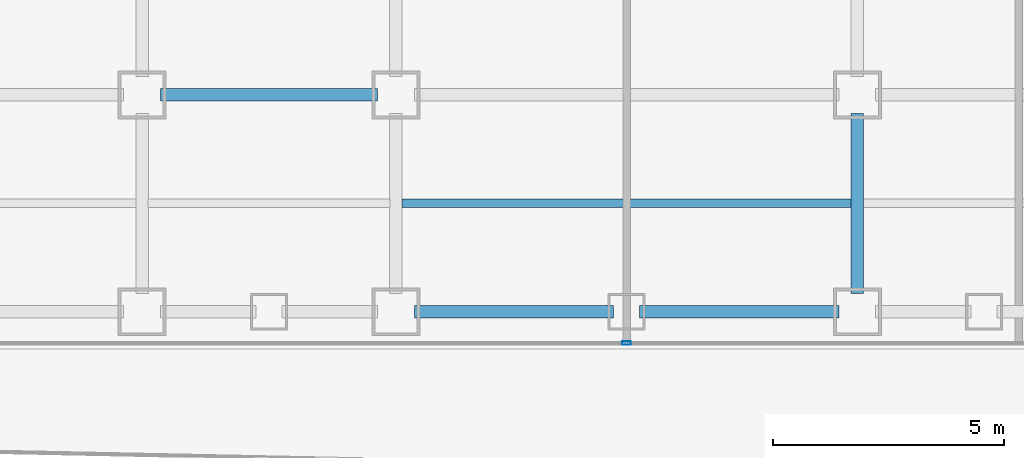
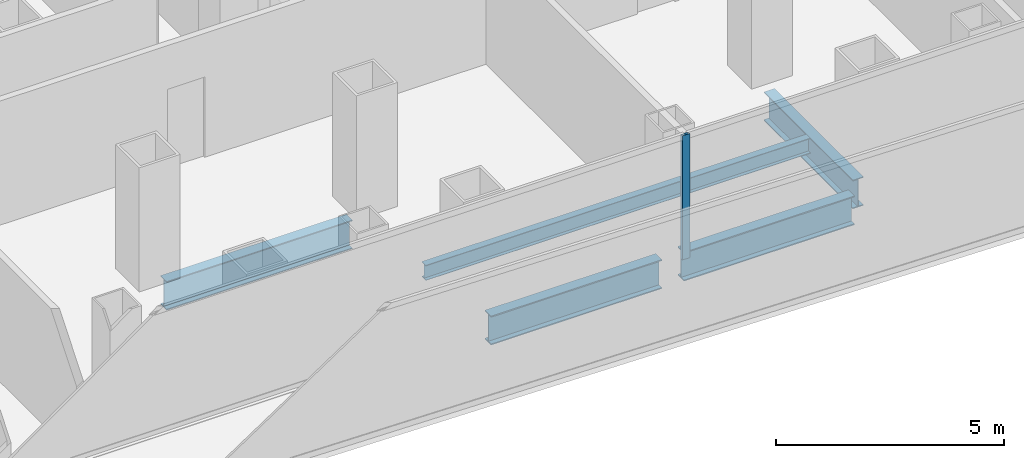
# One storey, part 4 of 21: 5 beams, 1 member, 1 element without a shape of its own.
"""IFC4 building model written with IfcOpenShell, lengths in metres."""

from ifc_helpers import new_model, si_unit, direction, frame, origin, origin_2d, place, context, subcontext, project, spatial, hollow_rectangle, i_section, extrude, source, transform, mapped, material, layer, layer_set, material_profile, profile_set, type_object, element, aggregate, save


model = new_model("IFC4")

# Units and contexts
model_context = context("Model", 3, precision=1e-05, world=origin(), true_north=direction((0.0, 1.0)))
body_context = subcontext(model_context, "Body", "Model", "MODEL_VIEW")
ifc_project = project(units=[si_unit("LENGTHUNIT", "METRE"), si_unit("AREAUNIT", "SQUARE_METRE"), si_unit("VOLUMEUNIT", "CUBIC_METRE"), si_unit("PLANEANGLEUNIT", "RADIAN"), si_unit("MASSUNIT", "GRAM", prefix="KILO")], contexts=[model_context])

# Site, building, storey
site_placement = place(None, origin())
site = spatial("IfcSite", under=ifc_project, at=site_placement, CompositionType="ELEMENT")
building_placement = place(site_placement, origin())
building = spatial("IfcBuilding", under=site, at=building_placement, Name="Kolveth Station Tower", CompositionType="ELEMENT")
storey_placement = place(building_placement, frame((0.0, 0.0, 26.10009765625)))
storey = spatial("IfcBuildingStorey", under=building, at=storey_placement, Name="L06", CompositionType="ELEMENT", Elevation=26.10009765625)

# Beams
ifc_material_1 = material(Name="Steel S355", Category="steel")
ifc_material_profile_1 = material_profile(ifc_material_1, i_section(OverallWidth=0.26904296875, OverallDepth=0.77490234375, WebThickness=0.01708984375, FlangeThickness=0.0283203125, at=origin_2d()), Name="W760x220")
ifc_profile_set_1 = profile_set([ifc_material_profile_1], Name="Steel S355")
beam_type_1 = type_object("IfcBeamType", Name="Beam_SP1", PredefinedType="SPANDREL", material=ifc_profile_set_1)
shared_shape_1 = source(origin(), body_context, "Body", "SweptSolid", [
    extrude(i_section(OverallWidth=0.26904296875, OverallDepth=0.77490234375, WebThickness=0.01708984375, FlangeThickness=0.0283203125, at=origin_2d()), origin(), (0.0, 0.0, 1.0), 4.320068359375),
])
for number, where, z_axis, x_axis, name in (
    (1, (18.89990234375, 0.800048828125, -0.66748046875), (1.0, 0.0, 0.0), (0.0, 1.0, 0.0), "L06 Perimeter Spandrel BM-L06-PS-5"),
    (2, (23.780029296875, 0.800048828125, -0.66748046875), (1.0, 0.0, 0.0), (0.0, 1.0, 0.0), "L06 Perimeter Spandrel BM-L06-PS-6"),
):
    element("IfcBeam", number, at=place(storey_placement, frame(where, z_axis=z_axis, x_axis=x_axis)), inside=storey, type_object=beam_type_1, Name=name, PredefinedType="SPANDREL", context=body_context, shape_type="MappedRepresentation", body=[
        mapped(shared_shape_1, transform((0.0, 0.0, 0.0), x_axis=(1.0, 0.0, 0.0), y_axis=(0.0, 1.0, 0.0), z_axis=(0.0, 0.0, 1.0), scale=1.0)),
    ])
ifc_material_profile_2 = material_profile(ifc_material_1, i_section(OverallWidth=0.26708984375, OverallDepth=0.76611328125, WebThickness=0.014892578125, FlangeThickness=0.023681640625, at=origin_2d()), Name="W760x185")
ifc_profile_set_2 = profile_set([ifc_material_profile_2], Name="Steel S355")
beam_type_2 = type_object("IfcBeamType", Name="Beam_B3", PredefinedType="BEAM", material=ifc_profile_set_2)
shared_shape_2 = source(origin(), body_context, "Body", "SweptSolid", [
    extrude(i_section(OverallWidth=0.26708984375, OverallDepth=0.76611328125, WebThickness=0.014892578125, FlangeThickness=0.023681640625, at=origin_2d()), origin(), (0.0, 0.0, 1.0), 4.7001953125),
])
beam_1_placement = place(storey_placement, frame((13.39990234375, 5.5, -0.6630859375), z_axis=(1.0, 0.0, 0.0), x_axis=(0.0, 1.0, 0.0)))
element("IfcBeam", 3, at=beam_1_placement, inside=storey, type_object=beam_type_2, Name="L06 Primary Girder BM-L06-GY55-3", PredefinedType="BEAM", context=body_context, shape_type="MappedRepresentation", body=[
    mapped(shared_shape_2, transform((0.0, 0.0, 0.0), x_axis=(1.0, 0.0, 0.0), y_axis=(0.0, 1.0, 0.0), z_axis=(0.0, 0.0, 1.0), scale=1.0)),
])
shared_shape_3 = source(origin(), body_context, "Body", "SweptSolid", [
    extrude(i_section(OverallWidth=0.26708984375, OverallDepth=0.76611328125, WebThickness=0.014892578125, FlangeThickness=0.023681640625, at=origin_2d()), origin(), (0.0, 0.0, 1.0), 3.900146484375),
])
beam_2_placement = place(storey_placement, frame((28.5, 1.199951171875, -0.6630859375), z_axis=(0.0, 1.0, 0.0), x_axis=(-1.0, 0.0, 0.0)))
element("IfcBeam", 4, at=beam_2_placement, inside=storey, type_object=beam_type_2, Name="L06 Primary Girder BM-L06-GX285-1", PredefinedType="BEAM", context=body_context, shape_type="MappedRepresentation", body=[
    mapped(shared_shape_3, transform((0.0, 0.0, 0.0), x_axis=(1.0, 0.0, 0.0), y_axis=(0.0, 1.0, 0.0), z_axis=(0.0, 0.0, 1.0), scale=1.0)),
])
ifc_material_profile_3 = material_profile(ifc_material_1, i_section(OverallWidth=0.177978515625, OverallDepth=0.406982421875, WebThickness=0.0078125, FlangeThickness=0.0126953125, at=origin_2d()), Name="W410x60")
ifc_profile_set_3 = profile_set([ifc_material_profile_3], Name="Steel S355")
beam_type_3 = type_object("IfcBeamType", Name="Beam_J1", PredefinedType="JOIST", material=ifc_profile_set_3)
shared_shape_4 = source(origin(), body_context, "Body", "SweptSolid", [
    extrude(i_section(OverallWidth=0.177978515625, OverallDepth=0.406982421875, WebThickness=0.0078125, FlangeThickness=0.0126953125, at=origin_2d()), origin(), (0.0, 0.0, 1.0), 9.73681640625),
])
beam_3_placement = place(storey_placement, frame((18.631591796875, 3.14990234375, -0.483642578125), z_axis=(1.0, 0.0, 0.0), x_axis=(0.0, 1.0, 0.0)))
element("IfcBeam", 5, at=beam_3_placement, inside=storey, type_object=beam_type_3, Name="L06 Secondary Joist JST-L06-4-1", PredefinedType="JOIST", context=body_context, shape_type="MappedRepresentation", body=[
    mapped(shared_shape_4, transform((0.0, 0.0, 0.0), x_axis=(1.0, 0.0, 0.0), y_axis=(0.0, 1.0, 0.0), z_axis=(0.0, 0.0, 1.0), scale=1.0)),
])

# Curtain wall, member
ifc_material_2 = material(Name="Aluminium 6063-T6 and low-E dark glass", Category="aluminium")
ifc_layer = layer(ifc_material_2, 0.179931640625)
ifc_layer_set = layer_set([ifc_layer], Name="Aluminium 6063-T6 and low-E dark glass")
curtain_wall_type = type_object("IfcCurtainWallType", Name="CurtainWall_CW-Z1", PredefinedType="NOTDEFINED", material=ifc_layer_set)
curtain_wall_placement = place(storey_placement, origin())
curtain_wall = element("IfcCurtainWall", 6, at=curtain_wall_placement, inside=storey, type_object=curtain_wall_type, Name="L06 Inner Thermal Curtain Wall 12", PredefinedType="NOTDEFINED")
ifc_material_3 = material(Name="Black anodized aluminium 6063-T6", Category="aluminium")
ifc_material_profile_4 = material_profile(ifc_material_3, hollow_rectangle(XDim=0.074951171875, YDim=0.18994140625, WallThickness=0.0048828125, at=origin_2d()), Name="ALU-75x190x5")
ifc_profile_set_4 = profile_set([ifc_material_profile_4], Name="Black anodized aluminium 6063-T6")
member_type = type_object("IfcMemberType", Name="Mullion_ML1", PredefinedType="MULLION", material=ifc_profile_set_4)
shared_shape_5 = source(origin(), body_context, "Body", "SweptSolid", [
    extrude(hollow_rectangle(XDim=0.074951171875, YDim=0.18994140625, WallThickness=0.0048828125, at=origin_2d()), origin(), (0.0, 0.0, 1.0), 3.31982421875),
])
member_placement = place(storey_placement, frame((23.5, 0.1201171875, 0.0), z_axis=(0.0, 0.0, 1.0), x_axis=(0.0, 1.0, 0.0)))
member = element("IfcMember", 7, at=member_placement, type_object=member_type, Name="CW-Z1 mullion 2", PredefinedType="MULLION", context=body_context, shape_type="MappedRepresentation", body=[
    mapped(shared_shape_5, transform((0.0, 0.0, 0.0), x_axis=(1.0, 0.0, 0.0), y_axis=(0.0, 1.0, 0.0), z_axis=(0.0, 0.0, 1.0), scale=1.0)),
])
aggregate(curtain_wall, [member])

save(model, "model.ifc")
